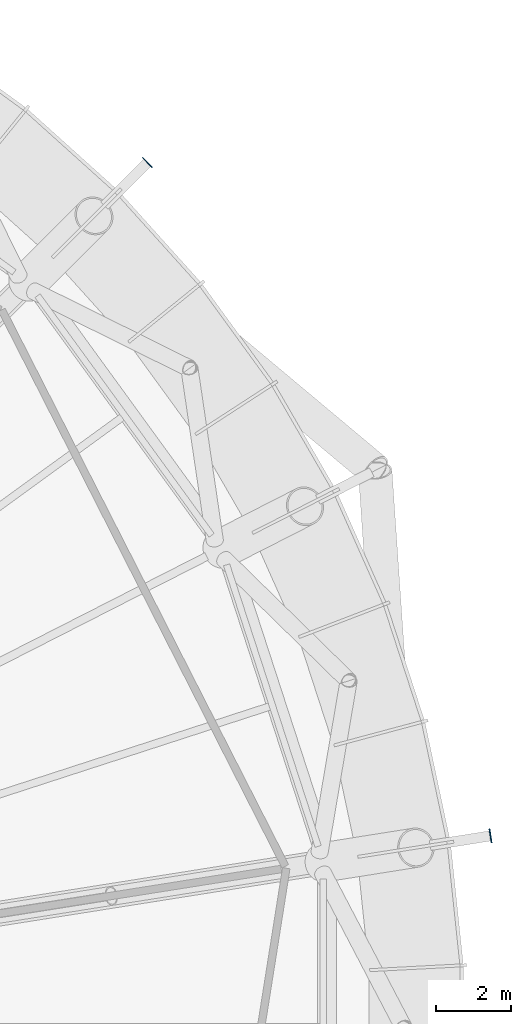
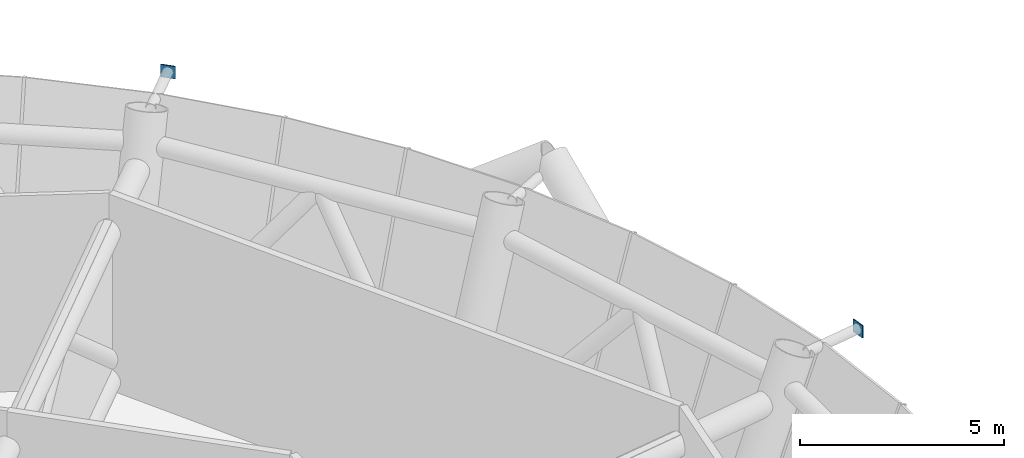
# One storey, part 17 of 20: 2 discrete accessories.
"""IFC4 building model written with IfcOpenShell, lengths in metres."""

from ifc_helpers import new_model, si_unit, direction, frame, origin, origin_2d, place, context, subcontext, project, spatial, rectangle, extrude, material, element, save


model = new_model("IFC4")

# Units and contexts
model_context = context("Model", 3, precision=1e-05, world=origin(), true_north=direction((0.0, 1.0)))
body_context = subcontext(model_context, "Body", "Model", "MODEL_VIEW")
ifc_project = project(units=[si_unit("LENGTHUNIT", "METRE"), si_unit("AREAUNIT", "SQUARE_METRE"), si_unit("VOLUMEUNIT", "CUBIC_METRE"), si_unit("PLANEANGLEUNIT", "RADIAN"), si_unit("MASSUNIT", "GRAM", prefix="KILO")], contexts=[model_context])

# Site, building, storey
site_placement = place(None, origin())
site = spatial("IfcSite", under=ifc_project, at=site_placement, CompositionType="ELEMENT")
building_placement = place(site_placement, origin())
building = spatial("IfcBuilding", under=site, at=building_placement, Name="Entoto Ring Tower", CompositionType="ELEMENT")
storey_placement = place(building_placement, frame((0.0, 0.0, 330.0)))
storey = spatial("IfcBuildingStorey", under=building, at=storey_placement, Name="L76", CompositionType="ELEMENT", Elevation=330.0)

# Discrete accessories
ifc_material = material(Name="Steel S355", Category="steel")
for number, where, z_axis, x_axis, name in (
    (1, (113.062255859375, 103.062255859375, 5.52685546875), (0.0, 0.0, 1.0), (0.707106781187, 0.707106781187, 0.0), "Node strut end plate DS2 ring 25 02"),
    (2, (122.21337890625, 85.10205078125, 5.52685546875), (0.0, 0.0, 1.0), (0.987688340595, 0.15643446504, 0.0), "Node strut end plate DS2 ring 25 20"),
):
    element("IfcDiscreteAccessory", number, at=place(storey_placement, frame(where, z_axis=z_axis, x_axis=x_axis)), inside=storey, material=ifc_material, Name=name, PredefinedType="BRACKET", context=body_context, shape_type="SweptSolid", body=[
        extrude(rectangle(XDim=0.030029296875, YDim=0.373046875, at=origin_2d()), origin(), (0.0, 0.0, 1.0), 0.373046875),
    ])

save(model, "model.ifc")
